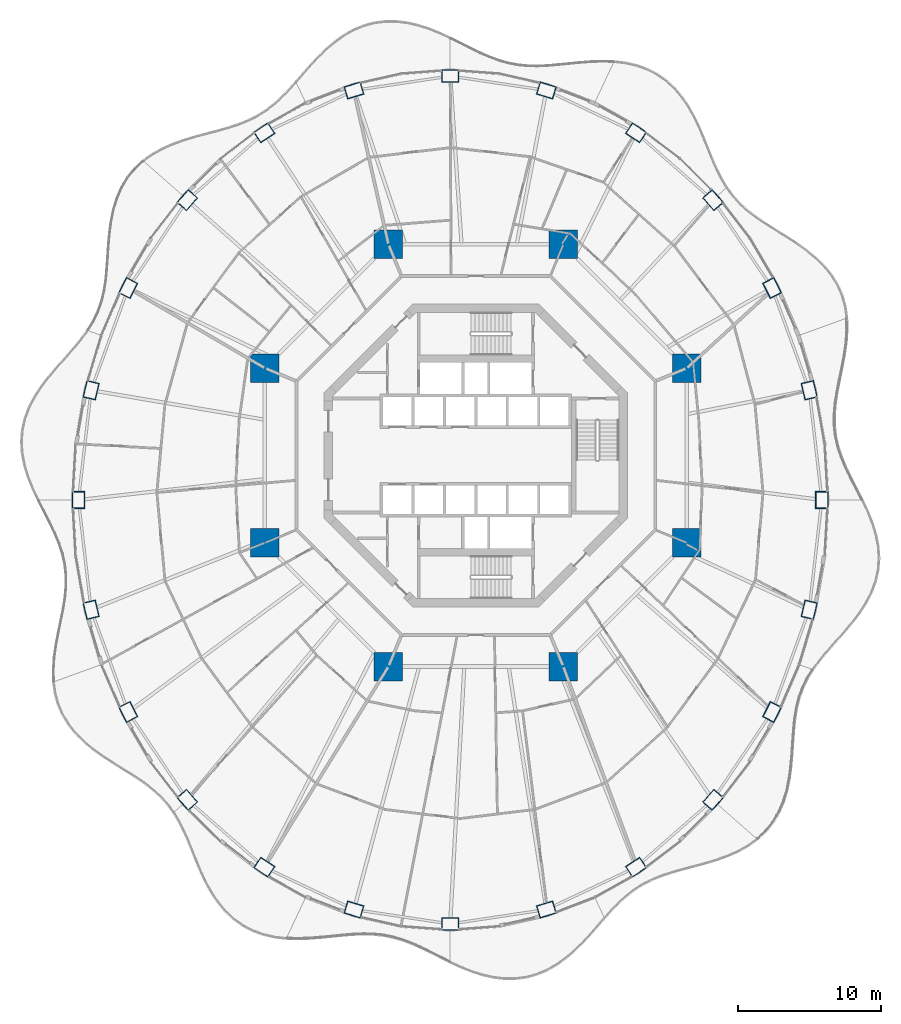
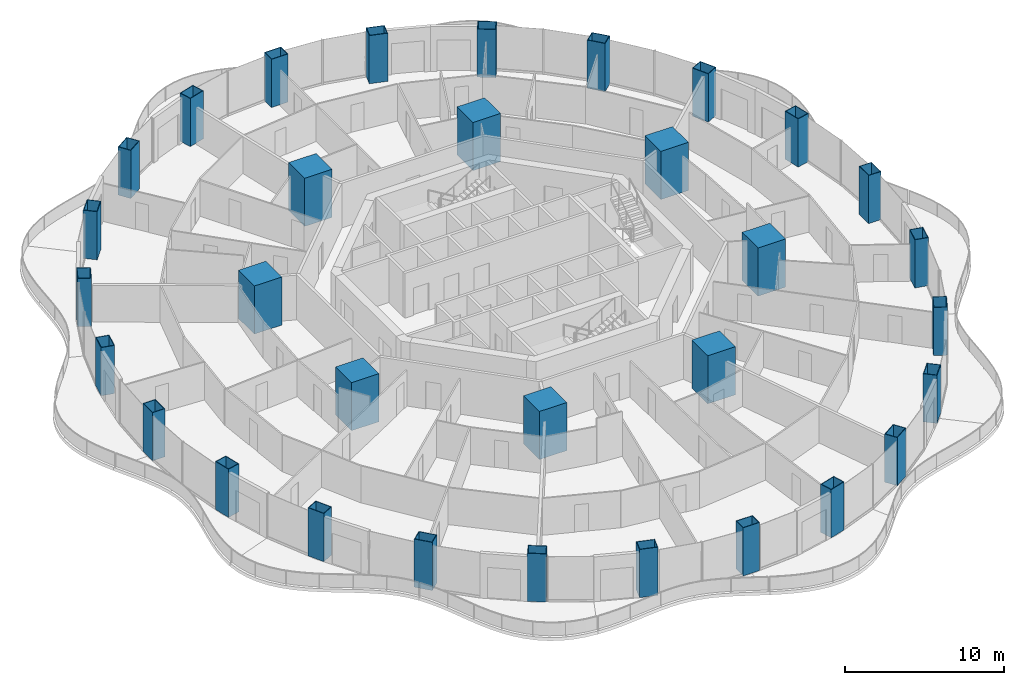
# One storey, part 1 of 20: 32 columns.
"""IFC4 building model written with IfcOpenShell, lengths in metres."""

from ifc_helpers import new_model, si_unit, direction, frame, origin, origin_2d, place, context, subcontext, project, spatial, rectangle, hollow_rectangle, extrude, material, material_profile, profile_set, type_object, element, save


model = new_model("IFC4")

# Units and contexts
model_context = context("Model", 3, precision=1e-05, world=origin(), true_north=direction((0.0, 1.0)))
body_context = subcontext(model_context, "Body", "Model", "MODEL_VIEW")
ifc_project = project(units=[si_unit("LENGTHUNIT", "METRE"), si_unit("AREAUNIT", "SQUARE_METRE"), si_unit("VOLUMEUNIT", "CUBIC_METRE"), si_unit("PLANEANGLEUNIT", "RADIAN"), si_unit("MASSUNIT", "GRAM", prefix="KILO")], contexts=[model_context])

# Site, building, storey
site_placement = place(None, origin())
site = spatial("IfcSite", under=ifc_project, at=site_placement, CompositionType="ELEMENT")
building_placement = place(site_placement, origin())
building = spatial("IfcBuilding", under=site, at=building_placement, Name="Nagisa Residences", CompositionType="ELEMENT")
storey_placement = place(building_placement, frame((0.0, 0.0, 130.699951171875)))
storey = spatial("IfcBuildingStorey", under=building, at=storey_placement, Name="L32", CompositionType="ELEMENT", Elevation=130.699951171875)

# Columns
ifc_material_1 = material(Name="Concrete C80", Category="concrete")
ifc_material_profile_1 = material_profile(ifc_material_1, rectangle(XDim=2.0, YDim=2.0, at=origin_2d()), Name="C80 2000x2000")
ifc_profile_set_1 = profile_set([ifc_material_profile_1], Name="Concrete C80")
column_type_1 = type_object("IfcColumnType", Name="Inner megacolumn C80 2000x2000", PredefinedType="COLUMN", material=ifc_profile_set_1)
for number, where, z_axis, x_axis, name in (
    (1, (14.781982421875, 6.123046875, 0.0), (0.0, 0.0, 1.0), (1.0, 0.0, 0.0), "col:L32:i1"),
    (2, (6.123046875, 14.781982421875, 0.0), (0.0, 0.0, 1.0), (1.0, 0.0, 0.0), "col:L32:i2"),
    (3, (-6.123046875, 14.781982421875, 0.0), (0.0, 0.0, 1.0), (1.0, 0.0, 0.0), "col:L32:i3"),
    (4, (-14.781982421875, 6.123046875, 0.0), (0.0, 0.0, 1.0), (1.0, 0.0, 0.0), "col:L32:i4"),
    (5, (-14.781982421875, -6.123046875, 0.0), (0.0, 0.0, 1.0), (1.0, 0.0, 0.0), "col:L32:i5"),
    (6, (-6.123046875, -14.781982421875, 0.0), (0.0, 0.0, 1.0), (1.0, 0.0, 0.0), "col:L32:i6"),
    (7, (6.123046875, -14.781982421875, 0.0), (0.0, 0.0, 1.0), (1.0, 0.0, 0.0), "col:L32:i7"),
    (8, (14.781982421875, -6.123046875, 0.0), (0.0, 0.0, 1.0), (1.0, 0.0, 0.0), "col:L32:i8"),
):
    element("IfcColumn", number, at=place(storey_placement, frame(where, z_axis=z_axis, x_axis=x_axis)), inside=storey, type_object=column_type_1, Name=name, PredefinedType="COLUMN", context=body_context, shape_type="SweptSolid", body=[
        extrude(rectangle(XDim=2.0, YDim=2.0, at=origin_2d()), origin(), (0.0, 0.0, 1.0), 3.699951171875),
    ])
ifc_material_2 = material(Name="Steel ASTM A572 Gr 50", Category="steel")
ifc_material_profile_2 = material_profile(ifc_material_2, hollow_rectangle(XDim=1.199951171875, YDim=0.89990234375, WallThickness=0.0400390625, at=origin_2d()), Name="BX 1200x900x40")
ifc_profile_set_2 = profile_set([ifc_material_profile_2], Name="Steel ASTM A572 Gr 50")
column_type_2 = type_object("IfcColumnType", Name="Perimeter column BX 1200x900x40", PredefinedType="COLUMN", material=ifc_profile_set_2)
for number, where, z_axis, x_axis, name in (
    (9, (24.235107421875, -3.11767578125, 0.0), (0.0, 0.0, 1.0), (0.0, 1.0, 0.0), "col:L32:p00"),
    (10, (23.347900390625, 4.56787109375, 0.0), (0.0, 0.0, 1.0), (-0.229202013103, 0.973378876486, 0.0), "col:L32:p01"),
    (11, (20.7470703125, 11.729736328125, 0.0), (0.0, 0.0, 1.0), (-0.452462697578, 0.891783329795, 0.0), "col:L32:p02"),
    (12, (16.609619140625, 17.8798828125, 0.0), (0.0, 0.0, 1.0), (-0.660114607735, 0.751164898445, 0.0), "col:L32:p03"),
    (13, (11.217529296875, 22.598876953125, 0.0), (0.0, 0.0, 1.0), (-0.835766105673, 0.54908561865, 0.0), "col:L32:p04"),
    (14, (4.938232421875, 25.5654296875, 0.0), (0.0, 0.0, 1.0), (-0.956524583408, 0.291651712384, 0.0), "col:L32:p05"),
    (15, (-1.800048828125, 26.577392578125, 0.0), (0.0, 0.0, 1.0), (-1.0, 0.0, 0.0), "col:L32:p06"),
    (16, (-8.538330078125, 25.5654296875, 0.0), (0.0, 0.0, 1.0), (-0.956524583408, -0.291651712384, 0.0), "col:L32:p07"),
    (17, (-14.8173828125, 22.598876953125, 0.0), (0.0, 0.0, 1.0), (-0.835766105673, -0.54908561865, 0.0), "col:L32:p08"),
    (18, (-20.20947265625, 17.8798828125, 0.0), (0.0, 0.0, 1.0), (-0.660114607735, -0.751164898445, 0.0), "col:L32:p09"),
    (19, (-24.346923828125, 11.729736328125, 0.0), (0.0, 0.0, 1.0), (-0.452462697578, -0.891783329795, 0.0), "col:L32:p10"),
    (20, (-26.947998046875, 4.56787109375, 0.0), (0.0, 0.0, 1.0), (-0.229202013103, -0.973378876486, 0.0), "col:L32:p11"),
    (21, (-27.8349609375, -3.11767578125, 0.0), (0.0, 0.0, 1.0), (0.0, -1.0, 0.0), "col:L32:p12"),
    (22, (-26.947998046875, -10.80322265625, 0.0), (0.0, 0.0, 1.0), (0.229202013103, -0.973378876486, 0.0), "col:L32:p13"),
    (23, (-24.346923828125, -17.965087890625, 0.0), (0.0, 0.0, 1.0), (0.452462697578, -0.891783329795, 0.0), "col:L32:p14"),
    (24, (-20.20947265625, -24.115234375, 0.0), (0.0, 0.0, 1.0), (0.660114607735, -0.751164898445, 0.0), "col:L32:p15"),
    (25, (-14.8173828125, -28.834228515625, 0.0), (0.0, 0.0, 1.0), (0.835766105673, -0.54908561865, 0.0), "col:L32:p16"),
    (26, (-8.538330078125, -31.80078125, 0.0), (0.0, 0.0, 1.0), (0.956524583408, -0.291651712384, 0.0), "col:L32:p17"),
    (27, (-1.800048828125, -32.812744140625, 0.0), (0.0, 0.0, 1.0), (1.0, 0.0, 0.0), "col:L32:p18"),
    (28, (4.938232421875, -31.80078125, 0.0), (0.0, 0.0, 1.0), (0.956524583408, 0.291651712384, 0.0), "col:L32:p19"),
    (29, (11.217529296875, -28.834228515625, 0.0), (0.0, 0.0, 1.0), (0.835766105673, 0.54908561865, 0.0), "col:L32:p20"),
    (30, (16.609619140625, -24.115234375, 0.0), (0.0, 0.0, 1.0), (0.660114607735, 0.751164898445, 0.0), "col:L32:p21"),
    (31, (20.7470703125, -17.965087890625, 0.0), (0.0, 0.0, 1.0), (0.452462697578, 0.891783329795, 0.0), "col:L32:p22"),
    (32, (23.347900390625, -10.80322265625, 0.0), (0.0, 0.0, 1.0), (0.229202013103, 0.973378876486, 0.0), "col:L32:p23"),
):
    element("IfcColumn", number, at=place(storey_placement, frame(where, z_axis=z_axis, x_axis=x_axis)), inside=storey, type_object=column_type_2, Name=name, PredefinedType="COLUMN", context=body_context, shape_type="SweptSolid", body=[
        extrude(hollow_rectangle(XDim=1.199951171875, YDim=0.89990234375, WallThickness=0.0400390625, at=origin_2d()), origin(), (0.0, 0.0, 1.0), 3.699951171875),
    ])

save(model, "model.ifc")
